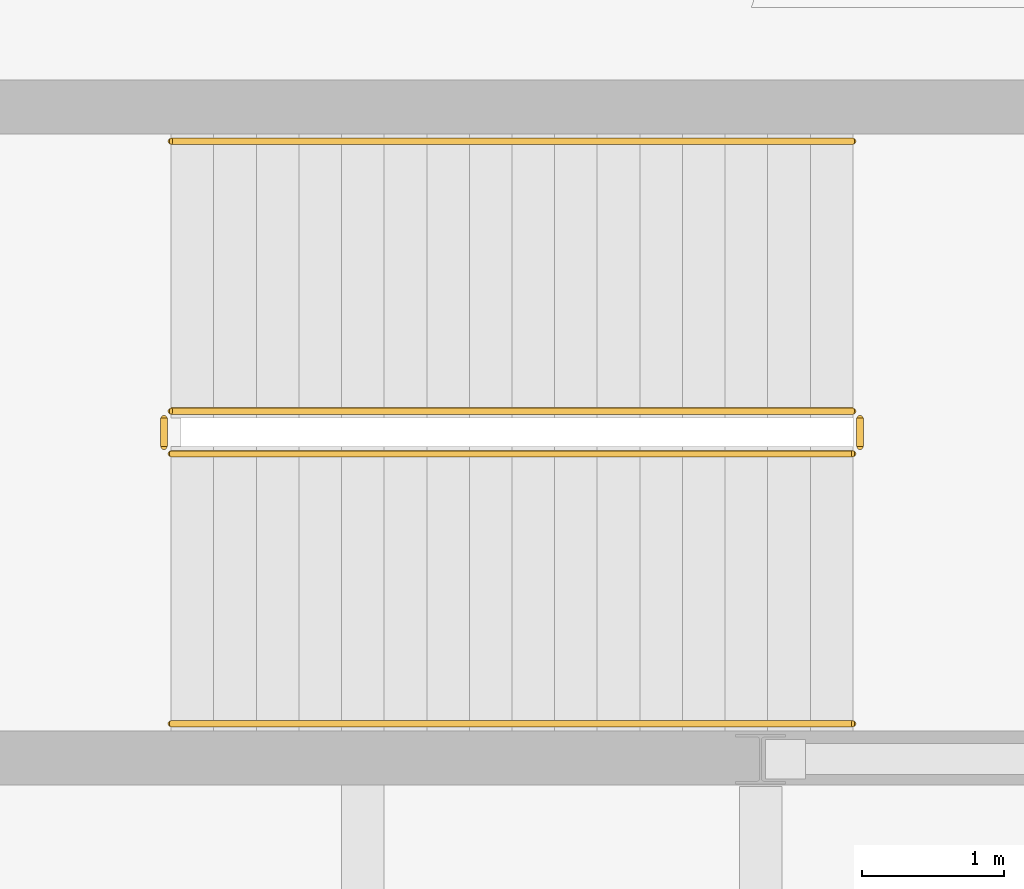
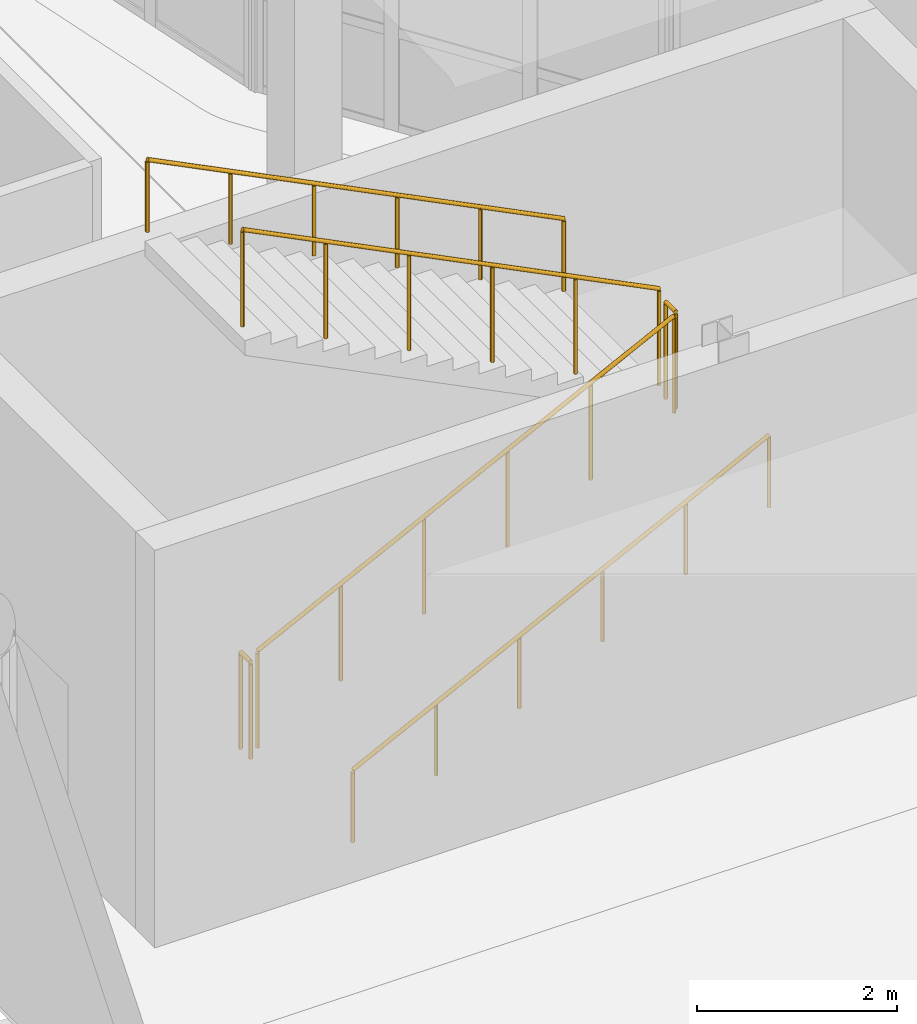
# One storey, part 86 of 103: 6 railings.
"""IFC4 building model written with IfcOpenShell, lengths in metres."""

import ifcopenshell
import ifcopenshell.guid

model = None  # the IFC model being written
_history = None  # IfcOwnerHistory: only IFC2X3 demands one
_inside = {}  # id of a spatial element -> (the spatial element, [elements in it])
_under = {}  # id of a project, library or spatial element -> (it, [spatial elements below it])
_declared = {}  # id of a project -> (the project, [libraries it declares])
_typed = {}  # id of a type object -> (the type object, [elements of that type])
_made_of = {}  # id of a material, layer set ... -> (it, [elements and type objects made of it])


def new_model(schema):
    """Start an empty IFC model of exactly this schema.

    Asked for "IFC4X3", IfcOpenShell would pick the latest addendum, in which some entities
    have other attributes; the version numbers below select the first issue.
    IFC2X3 requires an IfcOwnerHistory on every rooted entity: one is made here for all.
    """
    global model, _history
    if schema == "IFC4X3":
        model = ifcopenshell.file(schema_version=(4, 3, 0, 0))
    else:
        model = ifcopenshell.file(schema=schema)
    _inside.clear()
    _under.clear()
    _declared.clear()
    _typed.clear()
    _made_of.clear()
    _history = None
    if model.schema == "IFC2X3":
        org = make("IfcOrganization", Name="unknown")
        user = make(
            "IfcPersonAndOrganization",
            ThePerson=make("IfcPerson", FamilyName="unknown"),
            TheOrganization=org,
        )
        app = make(
            "IfcApplication",
            ApplicationDeveloper=org,
            Version="unknown",
            ApplicationFullName="unknown",
            ApplicationIdentifier="unknown",
        )
        _history = make(
            "IfcOwnerHistory",
            OwningUser=user,
            OwningApplication=app,
            ChangeAction="ADDED",
            CreationDate=0,
        )
    return model


def make(cls, **values):
    """One entity of the class cls with the attributes given. An attribute that is None is left unset."""
    return model.create_entity(
        cls, **{name: value for name, value in values.items() if value is not None}
    )


def rooted(cls, **values):
    """An entity with a GlobalId (a new one), such as an element, a storey or a relation."""
    return make(cls, GlobalId=ifcopenshell.guid.new(), OwnerHistory=_history, **values)


def si_unit(unit_type, name, prefix=None):
    """IfcSIUnit, for example si_unit("LENGTHUNIT", "METRE", prefix="MILLI")."""
    return make("IfcSIUnit", UnitType=unit_type, Prefix=prefix, Name=name)


def assignment(units):
    """IfcUnitAssignment: the units of a project."""
    return None if units is None else make("IfcUnitAssignment", Units=units)


def point(xyz):
    """IfcCartesianPoint."""
    return None if xyz is None else make("IfcCartesianPoint", Coordinates=xyz)


def direction(xyz):
    """IfcDirection."""
    return None if xyz is None else make("IfcDirection", DirectionRatios=xyz)


def frame(location, z_axis=None, x_axis=None):
    """IfcAxis2Placement3D, a coordinate frame: its origin and axes. An axis left out is left unset."""
    return make(
        "IfcAxis2Placement3D",
        Location=point(location),
        Axis=direction(z_axis),
        RefDirection=direction(x_axis),
    )


def frame_2d(location, x_axis=None):
    """IfcAxis2Placement2D, a coordinate frame in the plane: its origin and x axis."""
    return make(
        "IfcAxis2Placement2D", Location=point(location), RefDirection=direction(x_axis)
    )


def origin():
    """The frame at (0, 0, 0) with its axes left unset."""
    return frame((0.0, 0.0, 0.0))


def origin_2d():
    """The frame at (0, 0) in the plane with its x axis left unset."""
    return frame_2d((0.0, 0.0))


def place(relative_to, where):
    """IfcLocalPlacement: puts the frame where relative to a parent placement (None: the world)."""
    return make(
        "IfcLocalPlacement", PlacementRelTo=relative_to, RelativePlacement=where
    )


def context(
    kind, dimensions, precision=None, world=None, true_north=None, identifier=None
):
    """IfcGeometricRepresentationContext, for example the 3D "Model" context."""
    return make(
        "IfcGeometricRepresentationContext",
        ContextIdentifier=identifier,
        ContextType=kind,
        CoordinateSpaceDimension=dimensions,
        Precision=precision,
        WorldCoordinateSystem=world,
        TrueNorth=true_north,
    )


def subcontext(parent, identifier, kind, view, scale=None):
    """IfcGeometricRepresentationSubContext, for example "Body" below "Model"."""
    return make(
        "IfcGeometricRepresentationSubContext",
        ContextIdentifier=identifier,
        ContextType=kind,
        ParentContext=parent,
        TargetScale=scale,
        TargetView=view,
    )


def project(units=None, contexts=None):
    """IfcProject with its units and contexts."""
    return rooted(
        "IfcProject",
        Name="project",
        RepresentationContexts=contexts,
        UnitsInContext=assignment(units),
    )


def spatial(cls, under=None, at=None, **own):
    """A site, building, storey or space (cls), placed at a placement, below another one or the project."""
    s = rooted(cls, ObjectPlacement=at, **own)
    if under is not None:
        _under.setdefault(under.id(), (under, []))[1].append(s)
    return s


def profile(cls, at=None, kind="AREA", **sizes):
    """A parametric profile (cls). Its sizes go by their IFC names, for example OverallWidth=200.0."""
    return make(cls, ProfileType=kind, Position=at, **sizes)


def circle(**sizes):
    """IfcCircleProfileDef."""
    return profile("IfcCircleProfileDef", **sizes)


def extrude(swept, where, along, depth):
    """IfcExtrudedAreaSolid: the profile swept, set in the frame where, extruded along a direction by depth."""
    return make(
        "IfcExtrudedAreaSolid",
        SweptArea=swept,
        Position=where,
        ExtrudedDirection=direction(along),
        Depth=depth,
    )


def shape(context_of_items, identifier, shape_type, items):
    """IfcShapeRepresentation: the items that make up one representation, for example the "Body"."""
    return make(
        "IfcShapeRepresentation",
        ContextOfItems=context_of_items,
        RepresentationIdentifier=identifier,
        RepresentationType=shape_type,
        Items=items,
    )


def material(Name=None, Category=None):
    """IfcMaterial."""
    return make("IfcMaterial", Name=Name, Category=Category)


def made_of(thing, what):
    """Note that an element or type object is made of a material, layer set ...; save() writes the relation."""
    if what is not None:
        _made_of.setdefault(what.id(), (what, []))[1].append(thing)
    return thing


def type_object(cls, material=None, **own):
    """A type object (cls), such as IfcWallType, which elements share."""
    return made_of(rooted(cls, **own), material)


def element(
    cls,
    number,
    at=None,
    inside=None,
    cuts=None,
    type_object=None,
    material=None,
    context=None,
    identifier="Body",
    shape_type=None,
    held_by="IfcProductDefinitionShape",
    body=None,
    shapes=None,
    **own,
):
    """One element of the class cls, such as IfcWall. Its Tag is "e" and its number.

    at: its placement. inside: the storey or other place that contains it. cuts: it is an
    opening in that element (IfcRelVoidsElement). A single representation is given by context,
    identifier, shape_type and body (its items); several are given by shapes. held_by: the class
    of the entity that holds the representations. save() writes the other relations.
    """
    e = rooted(cls, Tag="e%d" % number, ObjectPlacement=at, **own)
    if body is not None:
        shapes = [shape(context, identifier, shape_type, body)]
    if shapes is not None:
        e.Representation = make(held_by, Representations=shapes)
    if inside is not None:
        _inside.setdefault(inside.id(), (inside, []))[1].append(e)
    if cuts is not None:
        rooted(
            "IfcRelVoidsElement", RelatingBuildingElement=cuts, RelatedOpeningElement=e
        )
    if type_object is not None:
        _typed.setdefault(type_object.id(), (type_object, []))[1].append(e)
    return made_of(e, material)


def aggregate(whole, parts):
    """IfcRelAggregates: a whole, such as a stair, and the parts it consists of."""
    return rooted("IfcRelAggregates", RelatingObject=whole, RelatedObjects=parts)


def save(model, path):
    """Write the relations noted so far, then the file.

    IfcRelAggregates (storeys below a building ...), IfcRelContainedInSpatialStructure (elements
    in a storey), IfcRelDefinesByType, IfcRelAssociatesMaterial and IfcRelDeclares: one each for
    every whole, place, type object, material and project.
    """
    for whole, parts in _under.values():
        aggregate(whole, parts)
    for where, things in _inside.values():
        rooted(
            "IfcRelContainedInSpatialStructure",
            RelatedElements=things,
            RelatingStructure=where,
        )
    for kind, things in _typed.values():
        rooted("IfcRelDefinesByType", RelatedObjects=things, RelatingType=kind)
    for what, things in _made_of.values():
        rooted("IfcRelAssociatesMaterial", RelatedObjects=things, RelatingMaterial=what)
    for by, libraries in _declared.values():
        rooted("IfcRelDeclares", RelatingContext=by, RelatedDefinitions=libraries)
    model.write(path)


model = new_model("IFC4")

# Units and contexts
model_context = context("Model", 3, precision=1e-05, world=origin(), true_north=direction((0.0, 1.0)))
body_context = subcontext(model_context, "Body", "Model", "MODEL_VIEW")
ifc_project = project(units=[si_unit("LENGTHUNIT", "METRE"), si_unit("AREAUNIT", "SQUARE_METRE"), si_unit("VOLUMEUNIT", "CUBIC_METRE"), si_unit("PLANEANGLEUNIT", "RADIAN"), si_unit("MASSUNIT", "GRAM", prefix="KILO"), si_unit("THERMODYNAMICTEMPERATUREUNIT", "KELVIN")], contexts=[model_context])

# Site, building, storey
site_placement = place(None, origin())
site = spatial("IfcSite", under=ifc_project, at=site_placement, CompositionType="ELEMENT")
building_placement = place(site_placement, origin())
building = spatial("IfcBuilding", under=site, at=building_placement, Name="Lustrewick Department Store", CompositionType="ELEMENT")
storey_placement = place(building_placement, frame((0.0, 0.0, 16.5)))
storey = spatial("IfcBuildingStorey", under=building, at=storey_placement, Name="L04", CompositionType="ELEMENT", Elevation=16.5)

# Railings
ifc_material_1 = material(Name="Painted tubular steel stairwell guardrail", Category="steel")
railing_type_1 = type_object("IfcRailingType", Name="RL-STG", PredefinedType="GUARDRAIL", material=ifc_material_1)
railing_1_placement = place(storey_placement, frame((12.64990234375, 52.550048828125, 0.14990234375)))
element("IfcRailing", 1, at=railing_1_placement, inside=storey, type_object=railing_type_1, Name="L04 ST01 Stair Guard 1", PredefinedType="GUARDRAIL", context=body_context, shape_type="SweptSolid", body=[
    extrude(circle(Radius=0.02392578125, at=origin_2d()), frame((0.0, 0.0, 1.17578125), z_axis=(0.894418092416, 0.0, 0.447231792205), x_axis=(0.0, 1.0, 0.0)), (0.0, 0.0, 1.0), 5.36669921875),
    extrude(circle(Radius=0.02099609375, at=origin_2d()), origin(), (0.0, 0.0, 1.0), 1.15185546875),
    extrude(circle(Radius=0.02099609375, at=origin_2d()), frame((0.9599609375, 0.0, 0.47998046875)), (0.0, 0.0, 1.0), 1.15185546875),
    extrude(circle(Radius=0.02099609375, at=origin_2d()), frame((1.919921875, 0.0, 0.9599609375)), (0.0, 0.0, 1.0), 1.15185546875),
    extrude(circle(Radius=0.02099609375, at=origin_2d()), frame((2.880126953125, 0.0, 1.440185546875)), (0.0, 0.0, 1.0), 1.15185546875),
    extrude(circle(Radius=0.02099609375, at=origin_2d()), frame((3.840087890625, 0.0, 1.920166015625)), (0.0, 0.0, 1.0), 1.15185546875),
    extrude(circle(Radius=0.02099609375, at=origin_2d()), frame((4.800048828125, 0.0, 2.400146484375)), (0.0, 0.0, 1.0), 1.15185546875),
])
railing_2_placement = place(storey_placement, frame((17.5, 52.60009765625, 2.550048828125)))
element("IfcRailing", 2, at=railing_2_placement, inside=storey, type_object=railing_type_1, Name="L04 ST01 Stair Guard 2", PredefinedType="GUARDRAIL", context=body_context, shape_type="SweptSolid", body=[
    extrude(circle(Radius=0.02392578125, at=origin_2d()), frame((0.0, 0.0, 1.17578125), z_axis=(0.0, 1.0, 0.0), x_axis=(-1.0, 0.0, 0.0)), (0.0, 0.0, 1.0), 0.199951171875),
    extrude(circle(Radius=0.02099609375, at=origin_2d()), origin(), (0.0, 0.0, 1.0), 1.15185546875),
    extrude(circle(Radius=0.02099609375, at=origin_2d()), frame((0.0, 0.199951171875, 0.0)), (0.0, 0.0, 1.0), 1.15185546875),
])
railing_3_placement = place(storey_placement, frame((17.449951171875, 52.85009765625, 2.699951171875)))
element("IfcRailing", 3, at=railing_3_placement, inside=storey, type_object=railing_type_1, Name="L04 ST01 Stair Guard 3", PredefinedType="GUARDRAIL", context=body_context, shape_type="SweptSolid", body=[
    extrude(circle(Radius=0.02392578125, at=origin_2d()), frame((0.0, 0.0, 1.17578125), z_axis=(-0.894418092416, 0.0, 0.447231792205), x_axis=(0.0, -1.0, 0.0)), (0.0, 0.0, 1.0), 5.36669921875),
    extrude(circle(Radius=0.02099609375, at=origin_2d()), origin(), (0.0, 0.0, 1.0), 1.15185546875),
    extrude(circle(Radius=0.02099609375, at=origin_2d()), frame((-0.9599609375, 0.0, 0.47998046875)), (0.0, 0.0, 1.0), 1.15185546875),
    extrude(circle(Radius=0.02099609375, at=origin_2d()), frame((-1.919921875, 0.0, 0.9599609375)), (0.0, 0.0, 1.0), 1.15185546875),
    extrude(circle(Radius=0.02099609375, at=origin_2d()), frame((-2.880126953125, 0.0, 1.440185546875)), (0.0, 0.0, 1.0), 1.15185546875),
    extrude(circle(Radius=0.02099609375, at=origin_2d()), frame((-3.840087890625, 0.0, 1.920166015625)), (0.0, 0.0, 1.0), 1.15185546875),
    extrude(circle(Radius=0.02099609375, at=origin_2d()), frame((-4.800048828125, 0.0, 2.400146484375)), (0.0, 0.0, 1.0), 1.15185546875),
])
railing_4_placement = place(storey_placement, frame((12.60009765625, 52.60009765625, 0.0)))
element("IfcRailing", 4, at=railing_4_placement, inside=storey, type_object=railing_type_1, Name="L04 ST01 Stair Guard 4", PredefinedType="GUARDRAIL", context=body_context, shape_type="SweptSolid", body=[
    extrude(circle(Radius=0.02392578125, at=origin_2d()), frame((0.0, 0.0, 1.17578125), z_axis=(0.0, 1.0, 0.0), x_axis=(-1.0, 0.0, 0.0)), (0.0, 0.0, 1.0), 0.199951171875),
    extrude(circle(Radius=0.02099609375, at=origin_2d()), origin(), (0.0, 0.0, 1.0), 1.15185546875),
    extrude(circle(Radius=0.02099609375, at=origin_2d()), frame((0.0, 0.199951171875, 0.0)), (0.0, 0.0, 1.0), 1.15185546875),
])
ifc_material_2 = material(Name="Brushed stainless steel wall handrail", Category="steel")
railing_type_2 = type_object("IfcRailingType", Name="RL-STH", PredefinedType="HANDRAIL", material=ifc_material_2)
railing_5_placement = place(storey_placement, frame((12.64990234375, 50.64990234375, 0.14990234375)))
element("IfcRailing", 5, at=railing_5_placement, inside=storey, type_object=railing_type_2, Name="L04 ST01 Stair Handrail 1", PredefinedType="HANDRAIL", context=body_context, shape_type="SweptSolid", body=[
    extrude(circle(Radius=0.02392578125, at=origin_2d()), frame((0.0, 0.0, 0.8759765625), z_axis=(0.894418092416, 0.0, 0.447231792205), x_axis=(0.0, 1.0, 0.0)), (0.0, 0.0, 1.0), 5.36669921875),
    extrude(circle(Radius=0.02099609375, at=origin_2d()), origin(), (0.0, 0.0, 1.0), 0.851806640625),
    extrude(circle(Radius=0.02099609375, at=origin_2d()), frame((0.9599609375, 0.0, 0.47998046875)), (0.0, 0.0, 1.0), 0.851806640625),
    extrude(circle(Radius=0.02099609375, at=origin_2d()), frame((1.919921875, 0.0, 0.9599609375)), (0.0, 0.0, 1.0), 0.851806640625),
    extrude(circle(Radius=0.02099609375, at=origin_2d()), frame((2.880126953125, 0.0, 1.440185546875)), (0.0, 0.0, 1.0), 0.851806640625),
    extrude(circle(Radius=0.02099609375, at=origin_2d()), frame((3.840087890625, 0.0, 1.920166015625)), (0.0, 0.0, 1.0), 0.851806640625),
    extrude(circle(Radius=0.02099609375, at=origin_2d()), frame((4.800048828125, 0.0, 2.400146484375)), (0.0, 0.0, 1.0), 0.851806640625),
])
railing_6_placement = place(storey_placement, frame((17.449951171875, 54.75, 2.699951171875)))
element("IfcRailing", 6, at=railing_6_placement, inside=storey, type_object=railing_type_2, Name="L04 ST01 Stair Handrail 2", PredefinedType="HANDRAIL", context=body_context, shape_type="SweptSolid", body=[
    extrude(circle(Radius=0.02392578125, at=origin_2d()), frame((0.0, 0.0, 0.8759765625), z_axis=(-0.894418092416, 0.0, 0.447231792205), x_axis=(0.0, -1.0, 0.0)), (0.0, 0.0, 1.0), 5.36669921875),
    extrude(circle(Radius=0.02099609375, at=origin_2d()), origin(), (0.0, 0.0, 1.0), 0.851806640625),
    extrude(circle(Radius=0.02099609375, at=origin_2d()), frame((-0.9599609375, 0.0, 0.47998046875)), (0.0, 0.0, 1.0), 0.851806640625),
    extrude(circle(Radius=0.02099609375, at=origin_2d()), frame((-1.919921875, 0.0, 0.9599609375)), (0.0, 0.0, 1.0), 0.851806640625),
    extrude(circle(Radius=0.02099609375, at=origin_2d()), frame((-2.880126953125, 0.0, 1.440185546875)), (0.0, 0.0, 1.0), 0.851806640625),
    extrude(circle(Radius=0.02099609375, at=origin_2d()), frame((-3.840087890625, 0.0, 1.920166015625)), (0.0, 0.0, 1.0), 0.851806640625),
    extrude(circle(Radius=0.02099609375, at=origin_2d()), frame((-4.800048828125, 0.0, 2.400146484375)), (0.0, 0.0, 1.0), 0.851806640625),
])

save(model, "model.ifc")
